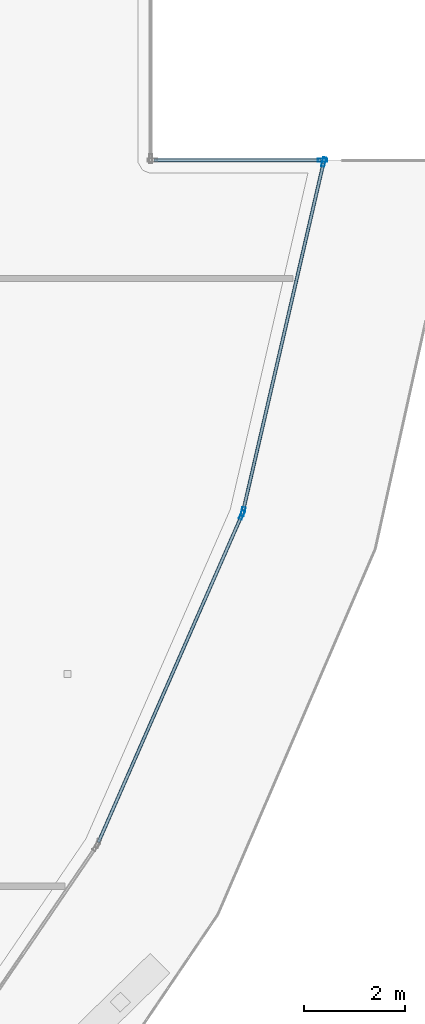
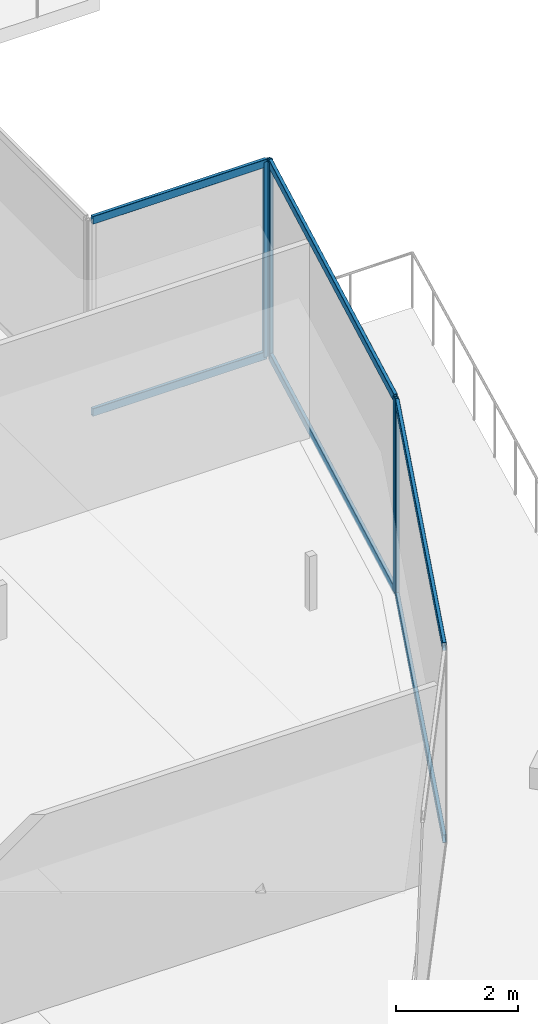
# One storey, part 26 of 46: 10 members, 3 elements without a shape of their own.
"""IFC4 building model written with IfcOpenShell, lengths in metres."""

from ifc_helpers import new_model, si_unit, direction, frame, origin, origin_2d, place, context, subcontext, project, spatial, hollow_rectangle, extrude, material, layer, layer_set, material_profile, profile_set, type_object, element, aggregate, save


model = new_model("IFC4")

# Units and contexts
model_context = context("Model", 3, precision=1e-05, world=origin(), true_north=direction((0.0, 1.0)))
body_context = subcontext(model_context, "Body", "Model", "MODEL_VIEW")
ifc_project = project(units=[si_unit("LENGTHUNIT", "METRE"), si_unit("AREAUNIT", "SQUARE_METRE"), si_unit("VOLUMEUNIT", "CUBIC_METRE"), si_unit("PLANEANGLEUNIT", "RADIAN"), si_unit("MASSUNIT", "GRAM", prefix="KILO")], contexts=[model_context])

# Site, building, storey
site_placement = place(None, origin())
site = spatial("IfcSite", under=ifc_project, at=site_placement, CompositionType="ELEMENT")
building_placement = place(site_placement, origin())
building = spatial("IfcBuilding", under=site, at=building_placement, Name="Qorvath Tower", CompositionType="ELEMENT")
storey_placement = place(building_placement, frame((0.0, 0.0, 87.0)))
storey = spatial("IfcBuildingStorey", under=building, at=storey_placement, Name="L19", CompositionType="ELEMENT", Elevation=87.0)

# Curtain wall, member
ifc_material_1 = material(Name="Anodised aluminium and triple low-E glass", Category="aluminium")
ifc_layer = layer(ifc_material_1, 0.179931640625)
ifc_layer_set = layer_set([ifc_layer], Name="CW-SYS-2")
curtain_wall_type = type_object("IfcCurtainWallType", Name="CW-SYS-2", PredefinedType="NOTDEFINED", material=ifc_layer_set)
curtain_wall_1_placement = place(storey_placement, origin())
curtain_wall_1 = element("IfcCurtainWall", 1, at=curtain_wall_1_placement, inside=storey, type_object=curtain_wall_type, Name="Curtain Wall CW-2 CW-T-L19-6.1", PredefinedType="NOTDEFINED")
ifc_material_2 = material(Name="Anodised aluminium 6063-T6", Category="aluminium")
ifc_material_profile_1 = material_profile(ifc_material_2, hollow_rectangle(XDim=0.06494140625, YDim=0.179931640625, WallThickness=0.00341796875, InnerFilletRadius=0.00341796875, OuterFilletRadius=0.007080078125, at=origin_2d()), Name="CWM 180x65")
ifc_profile_set_1 = profile_set([ifc_material_profile_1], Name="Anodised aluminium 6063-T6")
member_type_1 = type_object("IfcMemberType", Name="CWM-180", PredefinedType="MULLION", material=ifc_profile_set_1)
member_1_placement = place(storey_placement, frame((4.236572265625, -12.153076171875, 0.0), z_axis=(0.0, 0.0, 1.0), x_axis=(-0.915885530927, 0.401439527499, 0.0)))
member_1 = element("IfcMember", 2, at=member_1_placement, type_object=member_type_1, Name="CW-2 mullion 2", PredefinedType="MULLION", context=body_context, shape_type="SweptSolid", body=[
    extrude(hollow_rectangle(XDim=0.06494140625, YDim=0.179931640625, WallThickness=0.00341796875, InnerFilletRadius=0.00341796875, OuterFilletRadius=0.007080078125, at=origin_2d()), origin(), (0.0, 0.0, 1.0), 3.919921875),
])

# Curtain wall, members
curtain_wall_2_placement = place(storey_placement, origin())
curtain_wall_2 = element("IfcCurtainWall", 3, at=curtain_wall_2_placement, inside=storey, type_object=curtain_wall_type, Name="Curtain Wall CW-2 CW-T-L19-7.1", PredefinedType="NOTDEFINED")
member_2_placement = place(storey_placement, frame((4.2568359375, -12.091552734375, 0.0), z_axis=(0.0, 0.0, 1.0), x_axis=(-0.974376611716, 0.22492269459, 0.0)))
member_2 = element("IfcMember", 4, at=member_2_placement, type_object=member_type_1, Name="CW-2 mullion 1", PredefinedType="MULLION", context=body_context, shape_type="SweptSolid", body=[
    extrude(hollow_rectangle(XDim=0.06494140625, YDim=0.179931640625, WallThickness=0.00341796875, InnerFilletRadius=0.00341796875, OuterFilletRadius=0.007080078125, at=origin_2d()), origin(), (0.0, 0.0, 1.0), 3.919921875),
])
member_3_placement = place(storey_placement, frame((5.85400390625, -5.172607421875, 0.0), z_axis=(0.0, 0.0, 1.0), x_axis=(-0.974376611716, 0.22492269459, 0.0)))
member_3 = element("IfcMember", 5, at=member_3_placement, type_object=member_type_1, Name="CW-2 mullion 2", PredefinedType="MULLION", context=body_context, shape_type="SweptSolid", body=[
    extrude(hollow_rectangle(XDim=0.06494140625, YDim=0.179931640625, WallThickness=0.00341796875, InnerFilletRadius=0.00341796875, OuterFilletRadius=0.007080078125, at=origin_2d()), origin(), (0.0, 0.0, 1.0), 3.919921875),
])

# Curtain wall, member
curtain_wall_3_placement = place(storey_placement, origin())
curtain_wall_3 = element("IfcCurtainWall", 6, at=curtain_wall_3_placement, inside=storey, type_object=curtain_wall_type, Name="Curtain Wall CW-2 CW-T-L19-8.1", PredefinedType="NOTDEFINED")
member_4_placement = place(storey_placement, frame((5.828857421875, -5.140869140625, 0.0), z_axis=(0.0, 0.0, 1.0), x_axis=(0.0, -1.0, 0.0)))
member_4 = element("IfcMember", 7, at=member_4_placement, type_object=member_type_1, Name="CW-2 mullion 1", PredefinedType="MULLION", context=body_context, shape_type="SweptSolid", body=[
    extrude(hollow_rectangle(XDim=0.06494140625, YDim=0.179931640625, WallThickness=0.00341796875, InnerFilletRadius=0.00341796875, OuterFilletRadius=0.007080078125, at=origin_2d()), origin(), (0.0, 0.0, 1.0), 3.919921875),
])

# Member
ifc_material_3 = material(Name="Anodised aluminium 6063-T6", Category="aluminium")
ifc_material_profile_2 = material_profile(ifc_material_3, hollow_rectangle(XDim=0.06494140625, YDim=0.159912109375, WallThickness=0.00341796875, InnerFilletRadius=0.00341796875, OuterFilletRadius=0.007080078125, at=origin_2d()), Name="CWT 160x65")
ifc_profile_set_2 = profile_set([ifc_material_profile_2], Name="Anodised aluminium 6063-T6")
member_type_2 = type_object("IfcMemberType", Name="CWT-160", PredefinedType="USERDEFINED", material=ifc_profile_set_2)
member_5_placement = place(storey_placement, frame((1.39892578125, -18.626953125, 0.032470703125), z_axis=(0.401435821214, 0.915887155411, 0.0), x_axis=(-0.915887155411, 0.401435821214, 0.0)))
member_5 = element("IfcMember", 8, at=member_5_placement, type_object=member_type_2, Name="CW-2 transom 1.1", ObjectType="TRANSOM", PredefinedType="USERDEFINED", context=body_context, shape_type="SweptSolid", body=[
    extrude(hollow_rectangle(XDim=0.06494140625, YDim=0.159912109375, WallThickness=0.00341796875, InnerFilletRadius=0.00341796875, OuterFilletRadius=0.007080078125, at=origin_2d()), origin(), (0.0, 0.0, 1.0), 7.035888671875),
])

member_6_placement = place(storey_placement, frame((1.39892578125, -18.626953125, 3.887451171875), z_axis=(0.401435821214, 0.915887155411, 0.0), x_axis=(-0.915887155411, 0.401435821214, 0.0)))
member_6 = element("IfcMember", 9, at=member_6_placement, type_object=member_type_2, Name="CW-2 transom 1.2", ObjectType="TRANSOM", PredefinedType="USERDEFINED", context=body_context, shape_type="SweptSolid", body=[
    extrude(hollow_rectangle(XDim=0.06494140625, YDim=0.159912109375, WallThickness=0.00341796875, InnerFilletRadius=0.00341796875, OuterFilletRadius=0.007080078125, at=origin_2d()), origin(), (0.0, 0.0, 1.0), 7.035888671875),
])

aggregate(curtain_wall_1, [member_1, member_5, member_6])

member_7_placement = place(storey_placement, frame((4.26416015625, -12.06005859375, 0.032470703125), z_axis=(0.224917792527, 0.974377743283, 0.0), x_axis=(-0.974377743283, 0.224917792527, 0.0)))
member_7 = element("IfcMember", 10, at=member_7_placement, type_object=member_type_2, Name="CW-2 transom 1.1", ObjectType="TRANSOM", PredefinedType="USERDEFINED", context=body_context, shape_type="SweptSolid", body=[
    extrude(hollow_rectangle(XDim=0.06494140625, YDim=0.159912109375, WallThickness=0.00341796875, InnerFilletRadius=0.00341796875, OuterFilletRadius=0.007080078125, at=origin_2d()), origin(), (0.0, 0.0, 1.0), 7.035888671875),
])

member_8_placement = place(storey_placement, frame((4.26416015625, -12.06005859375, 3.887451171875), z_axis=(0.224917792527, 0.974377743283, 0.0), x_axis=(-0.974377743283, 0.224917792527, 0.0)))
member_8 = element("IfcMember", 11, at=member_8_placement, type_object=member_type_2, Name="CW-2 transom 1.2", ObjectType="TRANSOM", PredefinedType="USERDEFINED", context=body_context, shape_type="SweptSolid", body=[
    extrude(hollow_rectangle(XDim=0.06494140625, YDim=0.159912109375, WallThickness=0.00341796875, InnerFilletRadius=0.00341796875, OuterFilletRadius=0.007080078125, at=origin_2d()), origin(), (0.0, 0.0, 1.0), 7.035888671875),
])

aggregate(curtain_wall_2, [member_2, member_3, member_7, member_8])

member_9_placement = place(storey_placement, frame((5.79638671875, -5.140869140625, 0.032470703125), z_axis=(-1.0, 0.0, 0.0), x_axis=(0.0, -1.0, 0.0)))
member_9 = element("IfcMember", 12, at=member_9_placement, type_object=member_type_2, Name="CW-2 transom 1.1", ObjectType="TRANSOM", PredefinedType="USERDEFINED", context=body_context, shape_type="SweptSolid", body=[
    extrude(hollow_rectangle(XDim=0.06494140625, YDim=0.159912109375, WallThickness=0.00341796875, InnerFilletRadius=0.00341796875, OuterFilletRadius=0.007080078125, at=origin_2d()), origin(), (0.0, 0.0, 1.0), 3.29736328125),
])

member_10_placement = place(storey_placement, frame((5.79638671875, -5.140869140625, 3.887451171875), z_axis=(-1.0, 0.0, 0.0), x_axis=(0.0, -1.0, 0.0)))
member_10 = element("IfcMember", 13, at=member_10_placement, type_object=member_type_2, Name="CW-2 transom 1.2", ObjectType="TRANSOM", PredefinedType="USERDEFINED", context=body_context, shape_type="SweptSolid", body=[
    extrude(hollow_rectangle(XDim=0.06494140625, YDim=0.159912109375, WallThickness=0.00341796875, InnerFilletRadius=0.00341796875, OuterFilletRadius=0.007080078125, at=origin_2d()), origin(), (0.0, 0.0, 1.0), 3.29736328125),
])

aggregate(curtain_wall_3, [member_4, member_9, member_10])

save(model, "model.ifc")
